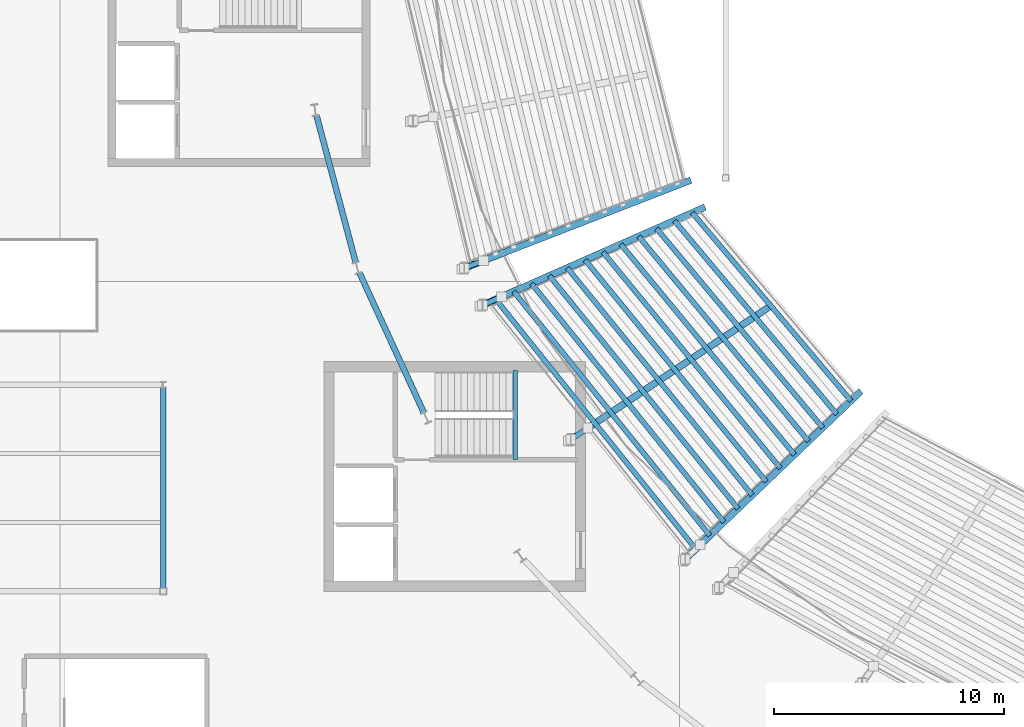
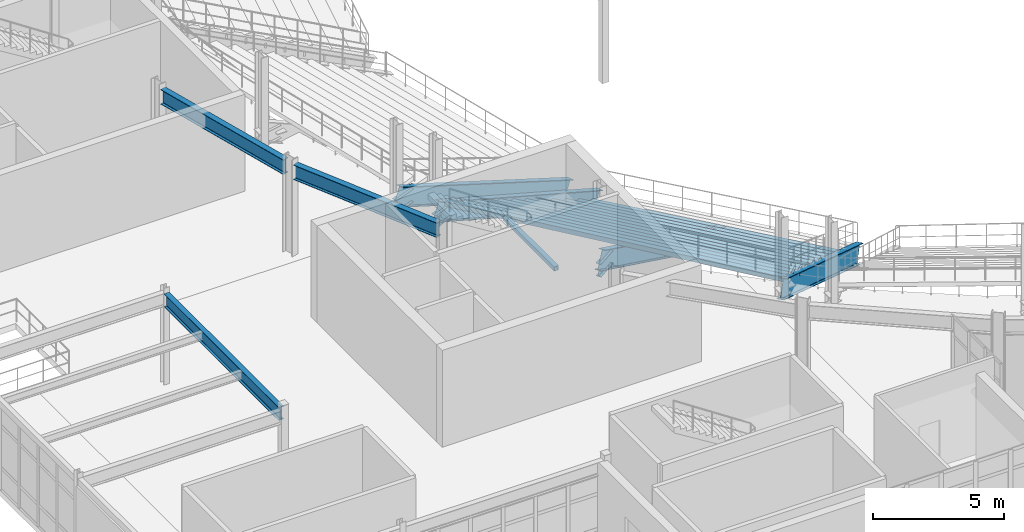
# One storey, part 22 of 81: 23 beams.
"""IFC4 building model written with IfcOpenShell, lengths in metres."""

from ifc_helpers import new_model, si_unit, direction, frame, origin, origin_2d, place, context, subcontext, project, spatial, rectangle, hollow_rectangle, i_section, extrude, material, material_profile, profile_set, type_object, element, save


model = new_model("IFC4")

# Units and contexts
model_context = context("Model", 3, precision=1e-05, world=origin(), true_north=direction((0.0, 1.0)))
body_context = subcontext(model_context, "Body", "Model", "MODEL_VIEW")
ifc_project = project(units=[si_unit("LENGTHUNIT", "METRE"), si_unit("AREAUNIT", "SQUARE_METRE"), si_unit("VOLUMEUNIT", "CUBIC_METRE"), si_unit("PLANEANGLEUNIT", "RADIAN"), si_unit("MASSUNIT", "GRAM", prefix="KILO")], contexts=[model_context])

# Site, building, storey
site_placement = place(None, origin())
site = spatial("IfcSite", under=ifc_project, at=site_placement, CompositionType="ELEMENT")
building_placement = place(site_placement, origin())
building = spatial("IfcBuilding", under=site, at=building_placement, Name="Glasvene Arena", CompositionType="ELEMENT")
storey_placement = place(building_placement, frame((0.0, 0.0, 15.0)))
storey = spatial("IfcBuildingStorey", under=building, at=storey_placement, Name="L03", CompositionType="ELEMENT", Elevation=15.0)

# Beams
ifc_material_1 = material(Name="Steel S355J2", Category="steel")
ifc_material_profile_1 = material_profile(ifc_material_1, i_section(OverallWidth=0.228271484375, OverallDepth=0.607666015625, WebThickness=0.010986328125, FlangeThickness=0.017333984375, FilletRadius=0.0126953125, at=origin_2d()), Name="UKB 610x229x113")
ifc_profile_set_1 = profile_set([ifc_material_profile_1], Name="Steel S355J2")
beam_type_1 = type_object("IfcBeamType", Name="BM-GIRD-610", PredefinedType="BEAM", material=ifc_profile_set_1)
beam_1_placement = place(storey_placement, frame((36.0, 45.14501953125, 3.9462890625), z_axis=(0.0, 1.0, 0.0), x_axis=(-1.0, 0.0, 0.0)))
element("IfcBeam", 1, at=beam_1_placement, inside=storey, type_object=beam_type_1, Name="Primary Y girder L03-0982", PredefinedType="BEAM", context=body_context, shape_type="SweptSolid", body=[
    extrude(i_section(OverallWidth=0.228271484375, OverallDepth=0.607666015625, WebThickness=0.010986328125, FlangeThickness=0.017333984375, FilletRadius=0.0126953125, at=origin_2d()), origin(), (0.0, 0.0, 1.0), 8.72998046875),
])
for number, where, z_axis, x_axis, name in (
    (2, (49.9521484375, 59.403076171875, 0.60498046875), (-0.932305314337, -0.361672228488, 0.0), (0.361672228488, -0.932305314337, 0.0), "Upper raker rear seat haunch girder RKS-09-3"),
    (3, (50.7353515625, 57.82666015625, 0.60498046875), (-0.914972384144, -0.403516463423, 0.0), (0.403516463423, -0.914972384144, 0.0), "Upper raker rear seat haunch girder RKS-10-1"),
):
    element("IfcBeam", number, at=place(storey_placement, frame(where, z_axis=z_axis, x_axis=x_axis)), inside=storey, type_object=beam_type_1, Name=name, PredefinedType="BEAM", context=body_context, shape_type="SweptSolid", body=[
        extrude(i_section(OverallWidth=0.228271484375, OverallDepth=0.607666015625, WebThickness=0.010986328125, FlangeThickness=0.017333984375, FilletRadius=0.0126953125, at=origin_2d()), origin(), (0.0, 0.0, 1.0), 1.02001953125),
    ])
beam_2_placement = place(storey_placement, frame((54.500732421875, 52.110595703125, 0.544921875), z_axis=(-0.831386976724, -0.555693885997, 0.0), x_axis=(0.555693885997, -0.831386976724, 0.0)))
element("IfcBeam", 4, at=beam_2_placement, inside=storey, type_object=beam_type_1, Name="Upper raker rear seat haunch girder RKS-10-2", PredefinedType="BEAM", context=body_context, shape_type="SweptSolid", body=[
    extrude(i_section(OverallWidth=0.228271484375, OverallDepth=0.607666015625, WebThickness=0.010986328125, FlangeThickness=0.017333984375, FilletRadius=0.0126953125, at=origin_2d()), origin(), (0.0, 0.0, 1.0), 1.020263671875),
])
ifc_material_profile_2 = material_profile(ifc_material_1, i_section(OverallWidth=0.253662109375, OverallDepth=0.68359375, WebThickness=0.012451171875, FlangeThickness=0.01904296875, FilletRadius=0.01513671875, at=origin_2d()), Name="UKB 686x254x140")
ifc_profile_set_2 = profile_set([ifc_material_profile_2], Name="Steel S355J2")
beam_type_2 = type_object("IfcBeamType", Name="BM-GIRD-686", PredefinedType="BEAM", material=ifc_profile_set_2)
beam_3_placement = place(storey_placement, frame((42.677490234375, 65.728515625, 3.908203125), z_axis=(0.257729153992, -0.966217202901, 0.0), x_axis=(0.966217202901, 0.257729153992, 0.0)))
element("IfcBeam", 5, at=beam_3_placement, inside=storey, type_object=beam_type_2, Name="Bowl ring chord beam L03-22", PredefinedType="BEAM", context=body_context, shape_type="SweptSolid", body=[
    extrude(i_section(OverallWidth=0.253662109375, OverallDepth=0.68359375, WebThickness=0.012451171875, FlangeThickness=0.01904296875, FilletRadius=0.01513671875, at=origin_2d()), origin(), (0.0, 0.0, 1.0), 6.626220703125),
])
beam_4_placement = place(storey_placement, frame((44.547607421875, 58.876220703125, 3.908203125), z_axis=(0.418069169042, -0.908415196866, 0.0), x_axis=(0.908415196866, 0.418069169042, 0.0)))
element("IfcBeam", 6, at=beam_4_placement, inside=storey, type_object=beam_type_2, Name="Bowl ring chord beam L03-23", PredefinedType="BEAM", context=body_context, shape_type="SweptSolid", body=[
    extrude(i_section(OverallWidth=0.253662109375, OverallDepth=0.68359375, WebThickness=0.012451171875, FlangeThickness=0.01904296875, FilletRadius=0.01513671875, at=origin_2d()), origin(), (0.0, 0.0, 1.0), 6.70166015625),
])
ifc_material_profile_3 = material_profile(ifc_material_1, hollow_rectangle(XDim=0.199951171875, YDim=0.199951171875, WallThickness=0.010009765625, at=origin_2d()), Name="SHS 200x200x10.0")
ifc_profile_set_3 = profile_set([ifc_material_profile_3], Name="Steel S355J2")
beam_type_3 = type_object("IfcBeamType", Name="BM-LINTEL-200", PredefinedType="LINTEL", material=ifc_profile_set_3)
beam_5_placement = place(storey_placement, frame((51.330078125, 50.72998046875, 1.929931640625), z_axis=(0.0, 1.0, 0.0), x_axis=(-1.0, 0.0, 0.0)))
element("IfcBeam", 7, at=beam_5_placement, inside=storey, type_object=beam_type_3, Name="Stair half-landing support beam ST-03-L03", PredefinedType="LINTEL", context=body_context, shape_type="SweptSolid", body=[
    extrude(hollow_rectangle(XDim=0.199951171875, YDim=0.199951171875, WallThickness=0.010009765625, at=origin_2d()), origin(), (0.0, 0.0, 1.0), 3.89013671875),
])
ifc_material_profile_4 = material_profile(ifc_material_1, i_section(OverallWidth=0.29248046875, OverallDepth=0.8408203125, WebThickness=0.0146484375, FlangeThickness=0.021728515625, FilletRadius=0.017822265625, at=origin_2d()), Name="UKB 838x292x194")
ifc_profile_set_4 = profile_set([ifc_material_profile_4], Name="Steel S355J2")
beam_type_4 = type_object("IfcBeamType", Name="Upper bowl raker", PredefinedType="USERDEFINED", material=ifc_profile_set_4)
beam_6_placement = place(storey_placement, frame((58.809326171875, 62.83837890625, -4.320068359375), z_axis=(-0.829704586846, -0.321824936055, 0.456091009669), x_axis=(0.361628219192, -0.932322385811, 0.0)))
element("IfcBeam", 8, at=beam_6_placement, inside=storey, type_object=beam_type_4, Name="Upper bowl cantilevered raker beam RKU-09-3", ObjectType="RAKER BEAM", PredefinedType="USERDEFINED", context=body_context, shape_type="SweptSolid", body=[
    extrude(i_section(OverallWidth=0.29248046875, OverallDepth=0.8408203125, WebThickness=0.0146484375, FlangeThickness=0.021728515625, FilletRadius=0.017822265625, at=origin_2d()), origin(), (0.0, 0.0, 1.0), 11.6865234375),
])
beam_7_placement = place(storey_placement, frame((59.427490234375, 61.660400390625, -4.320068359375), z_axis=(-0.814248067092, -0.359137379961, 0.456092564674), x_axis=(0.403555824655, -0.914955024243, 0.0)))
element("IfcBeam", 9, at=beam_7_placement, inside=storey, type_object=beam_type_4, Name="Upper bowl cantilevered raker beam RKU-10-1", ObjectType="RAKER BEAM", PredefinedType="USERDEFINED", context=body_context, shape_type="SweptSolid", body=[
    extrude(i_section(OverallWidth=0.29248046875, OverallDepth=0.8408203125, WebThickness=0.0146484375, FlangeThickness=0.021728515625, FilletRadius=0.017822265625, at=origin_2d()), origin(), (0.0, 0.0, 1.0), 11.686279296875),
])
beam_8_placement = place(storey_placement, frame((62.399658203125, 57.388427734375, -4.47998046875), z_axis=(-0.737057012889, -0.492481189955, 0.462827437919), x_axis=(0.555566675899, -0.831471989084, 0.0)))
element("IfcBeam", 10, at=beam_8_placement, inside=storey, type_object=beam_type_4, Name="Upper bowl cantilevered raker beam RKU-10-2", ObjectType="RAKER BEAM", PredefinedType="USERDEFINED", context=body_context, shape_type="SweptSolid", body=[
    extrude(i_section(OverallWidth=0.29248046875, OverallDepth=0.8408203125, WebThickness=0.0146484375, FlangeThickness=0.021728515625, FilletRadius=0.017822265625, at=origin_2d()), origin(), (0.0, 0.0, 1.0), 11.732177734375),
])
beam_9_placement = place(storey_placement, frame((66.262451171875, 53.586181640625, -4.320068359375), z_axis=(-0.643395546748, -0.614837792595, 0.456088433554), x_axis=(0.690879858158, -0.722969585523, 0.0)))
element("IfcBeam", 11, at=beam_9_placement, inside=storey, type_object=beam_type_4, Name="Upper bowl cantilevered raker beam RKU-10-3", ObjectType="RAKER BEAM", PredefinedType="USERDEFINED", context=body_context, shape_type="SweptSolid", body=[
    extrude(i_section(OverallWidth=0.29248046875, OverallDepth=0.8408203125, WebThickness=0.0146484375, FlangeThickness=0.021728515625, FilletRadius=0.017822265625, at=origin_2d()), origin(), (0.0, 0.0, 1.0), 11.6865234375),
])
ifc_material_2 = material(Name="Precast concrete C50/60", Category="concrete")
ifc_material_profile_5 = material_profile(ifc_material_2, rectangle(XDim=0.219970703125, YDim=0.219970703125, at=origin_2d()), Name="RC 220x220")
ifc_profile_set_5 = profile_set([ifc_material_profile_5], Name="Precast concrete C50/60")
beam_type_5 = type_object("IfcBeamType", Name="BM-TIER-BEARER", PredefinedType="BEAM", material=ifc_profile_set_5)
beam_10_placement = place(storey_placement, frame((59.043212890625, 61.490966796875, -4.215087890625), z_axis=(0.644922058275, -0.76424834887, 0.0), x_axis=(0.76424834887, 0.644922058275, 0.0)))
element("IfcBeam", 12, at=beam_10_placement, inside=storey, type_object=beam_type_5, Name="Upper tier precast row bearer 10-R01", PredefinedType="BEAM", context=body_context, shape_type="SweptSolid", body=[
    extrude(rectangle(XDim=0.219970703125, YDim=0.219970703125, at=origin_2d()), origin(), (0.0, 0.0, 1.0), 10.72314453125),
])
beam_11_placement = place(storey_placement, frame((58.265380859375, 61.14794921875, -3.735107421875), z_axis=(0.642655492956, -0.766155282807, 0.0), x_axis=(0.766155282807, 0.642655492956, 0.0)))
element("IfcBeam", 13, at=beam_11_placement, inside=storey, type_object=beam_type_5, Name="Upper tier precast row bearer 10-R02", PredefinedType="BEAM", context=body_context, shape_type="SweptSolid", body=[
    extrude(rectangle(XDim=0.219970703125, YDim=0.219970703125, at=origin_2d()), origin(), (0.0, 0.0, 1.0), 11.014892578125),
])
beam_12_placement = place(storey_placement, frame((57.48779296875, 60.804931640625, -3.2548828125), z_axis=(0.640488055668, -0.767968131205, 0.0), x_axis=(0.767968131205, 0.640488055668, 0.0)))
element("IfcBeam", 14, at=beam_12_placement, inside=storey, type_object=beam_type_5, Name="Upper tier precast row bearer 10-R03", PredefinedType="BEAM", context=body_context, shape_type="SweptSolid", body=[
    extrude(rectangle(XDim=0.219970703125, YDim=0.219970703125, at=origin_2d()), origin(), (0.0, 0.0, 1.0), 11.306884765625),
])
beam_13_placement = place(storey_placement, frame((56.7099609375, 60.4619140625, -2.77490234375), z_axis=(0.63842711998, -0.769682280213, 0.0), x_axis=(0.769682280213, 0.63842711998, 0.0)))
element("IfcBeam", 15, at=beam_13_placement, inside=storey, type_object=beam_type_5, Name="Upper tier precast row bearer 10-R04", PredefinedType="BEAM", context=body_context, shape_type="SweptSolid", body=[
    extrude(rectangle(XDim=0.219970703125, YDim=0.219970703125, at=origin_2d()), origin(), (0.0, 0.0, 1.0), 11.599365234375),
])
beam_14_placement = place(storey_placement, frame((55.932373046875, 60.118896484375, -2.294921875), z_axis=(0.636448921303, -0.771318851431, 0.0), x_axis=(0.771318851431, 0.636448921303, 0.0)))
element("IfcBeam", 16, at=beam_14_placement, inside=storey, type_object=beam_type_5, Name="Upper tier precast row bearer 10-R05", PredefinedType="BEAM", context=body_context, shape_type="SweptSolid", body=[
    extrude(rectangle(XDim=0.219970703125, YDim=0.219970703125, at=origin_2d()), origin(), (0.0, 0.0, 1.0), 11.89111328125),
])
beam_15_placement = place(storey_placement, frame((55.154541015625, 59.77587890625, -1.81494140625), z_axis=(0.634585572165, -0.772852606646, 0.0), x_axis=(0.772852606646, 0.634585572165, 0.0)))
element("IfcBeam", 17, at=beam_15_placement, inside=storey, type_object=beam_type_5, Name="Upper tier precast row bearer 10-R06", PredefinedType="BEAM", context=body_context, shape_type="SweptSolid", body=[
    extrude(rectangle(XDim=0.219970703125, YDim=0.219970703125, at=origin_2d()), origin(), (0.0, 0.0, 1.0), 12.183349609375),
])
beam_16_placement = place(storey_placement, frame((54.376953125, 59.432861328125, -1.3349609375), z_axis=(0.632784784283, -0.774327719238, 0.0), x_axis=(0.774327719238, 0.632784784283, 0.0)))
element("IfcBeam", 18, at=beam_16_placement, inside=storey, type_object=beam_type_5, Name="Upper tier precast row bearer 10-R07", PredefinedType="BEAM", context=body_context, shape_type="SweptSolid", body=[
    extrude(rectangle(XDim=0.219970703125, YDim=0.219970703125, at=origin_2d()), origin(), (0.0, 0.0, 1.0), 12.475830078125),
])
beam_17_placement = place(storey_placement, frame((53.59912109375, 59.08984375, -0.85498046875), z_axis=(0.631084152246, -0.775714375775, 0.0), x_axis=(0.775714375775, 0.631084152246, 0.0)))
element("IfcBeam", 19, at=beam_17_placement, inside=storey, type_object=beam_type_5, Name="Upper tier precast row bearer 10-R08", PredefinedType="BEAM", context=body_context, shape_type="SweptSolid", body=[
    extrude(rectangle(XDim=0.219970703125, YDim=0.219970703125, at=origin_2d()), origin(), (0.0, 0.0, 1.0), 12.768310546875),
])
beam_18_placement = place(storey_placement, frame((52.8212890625, 58.746826171875, -0.375), z_axis=(0.62944770131, -0.777042850373, 0.0), x_axis=(0.777042850373, 0.62944770131, 0.0)))
element("IfcBeam", 20, at=beam_18_placement, inside=storey, type_object=beam_type_5, Name="Upper tier precast row bearer 10-R09", PredefinedType="BEAM", context=body_context, shape_type="SweptSolid", body=[
    extrude(rectangle(XDim=0.219970703125, YDim=0.219970703125, at=origin_2d()), origin(), (0.0, 0.0, 1.0), 13.06103515625),
])
beam_19_placement = place(storey_placement, frame((52.043701171875, 58.40380859375, 0.10498046875), z_axis=(0.627878234413, -0.778311584618, 0.0), x_axis=(0.778311584618, 0.627878234413, 0.0)))
element("IfcBeam", 21, at=beam_19_placement, inside=storey, type_object=beam_type_5, Name="Upper tier precast row bearer 10-R10", PredefinedType="BEAM", context=body_context, shape_type="SweptSolid", body=[
    extrude(rectangle(XDim=0.219970703125, YDim=0.219970703125, at=origin_2d()), origin(), (0.0, 0.0, 1.0), 13.353271484375),
])
beam_20_placement = place(storey_placement, frame((51.26611328125, 58.060791015625, 0.5849609375), z_axis=(0.626373636343, -0.779522974449, 0.0), x_axis=(0.779522974449, 0.626373636343, 0.0)))
element("IfcBeam", 22, at=beam_20_placement, inside=storey, type_object=beam_type_5, Name="Upper tier precast row bearer 10-R11", PredefinedType="BEAM", context=body_context, shape_type="SweptSolid", body=[
    extrude(rectangle(XDim=0.219970703125, YDim=0.219970703125, at=origin_2d()), origin(), (0.0, 0.0, 1.0), 13.645751953125),
])
beam_21_placement = place(storey_placement, frame((50.48828125, 57.7177734375, 1.06494140625), z_axis=(0.624932117526, -0.780679094433, 0.0), x_axis=(0.780679094433, 0.624932117526, 0.0)))
element("IfcBeam", 23, at=beam_21_placement, inside=storey, type_object=beam_type_5, Name="Upper tier precast row bearer 10-R12", PredefinedType="BEAM", context=body_context, shape_type="SweptSolid", body=[
    extrude(rectangle(XDim=0.219970703125, YDim=0.219970703125, at=origin_2d()), origin(), (0.0, 0.0, 1.0), 13.938720703125),
])

save(model, "model.ifc")
